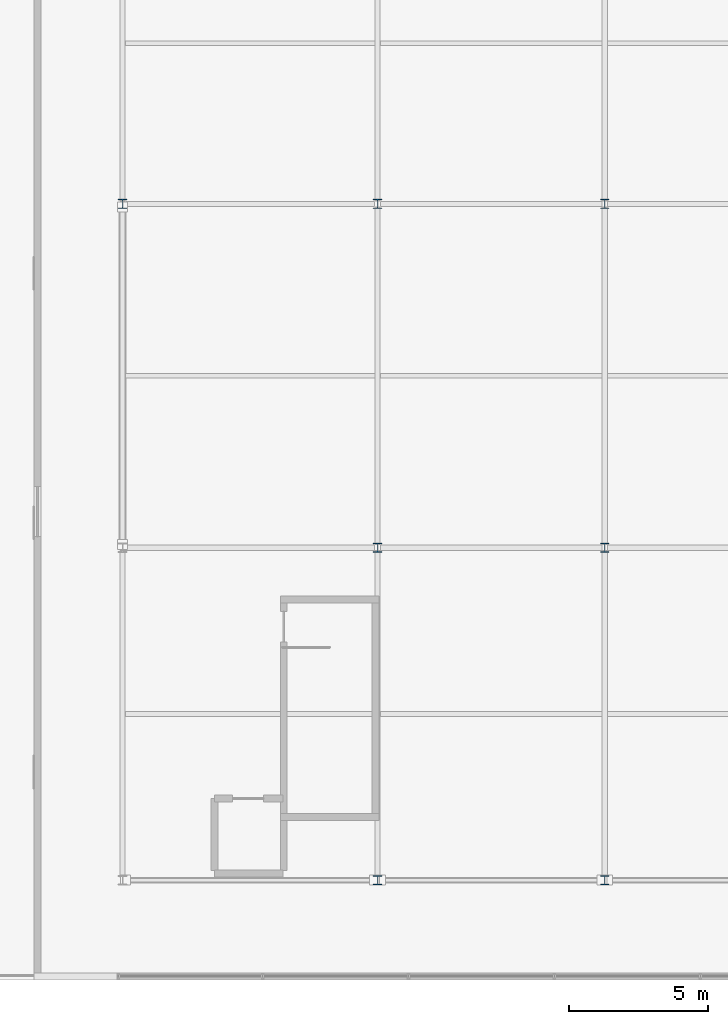
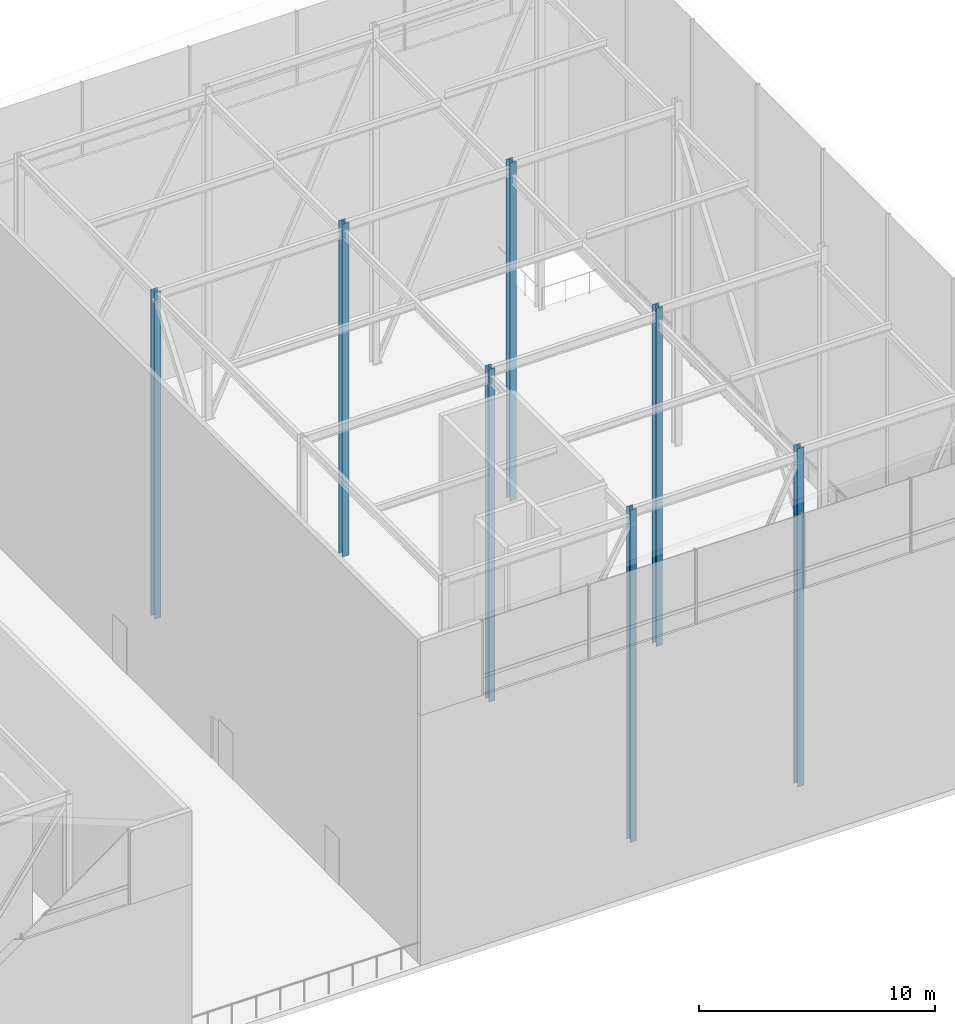
# One storey, part 2 of 39: 7 columns.
"""IFC4 building model written with IfcOpenShell, lengths in metres."""

from ifc_helpers import new_model, si_unit, direction, frame, origin, origin_2d, place, context, subcontext, project, spatial, i_section, extrude, material, material_profile, profile_set, type_object, element, save


model = new_model("IFC4")

# Units and contexts
model_context = context("Model", 3, precision=1e-05, world=origin(), true_north=direction((0.0, 1.0)))
body_context = subcontext(model_context, "Body", "Model", "MODEL_VIEW")
ifc_project = project(units=[si_unit("LENGTHUNIT", "METRE"), si_unit("AREAUNIT", "SQUARE_METRE"), si_unit("VOLUMEUNIT", "CUBIC_METRE"), si_unit("PLANEANGLEUNIT", "RADIAN"), si_unit("MASSUNIT", "GRAM", prefix="KILO")], contexts=[model_context])

# Site, building, storey
site_placement = place(None, origin())
site = spatial("IfcSite", under=ifc_project, at=site_placement, CompositionType="ELEMENT")
building_placement = place(site_placement, origin())
building = spatial("IfcBuilding", under=site, at=building_placement, Name="Korimba Cascade Residences", CompositionType="ELEMENT")
storey_placement = place(building_placement, frame((0.0, 0.0, 264.199951171875)))
storey = spatial("IfcBuildingStorey", under=building, at=storey_placement, Name="RF", CompositionType="ELEMENT", Elevation=264.199951171875)

# Columns
ifc_material = material(Name="Steel S355", Category="steel")
ifc_material_profile = material_profile(ifc_material, i_section(OverallWidth=0.314453125, OverallDepth=0.33984375, WebThickness=0.01904296875, FlangeThickness=0.031494140625, FilletRadius=0.01513671875, at=origin_2d()), Name="Steel S355")
ifc_profile_set = profile_set([ifc_material_profile], Name="Steel S355")
column_type = type_object("IfcColumnType", Name="COL-STL-UC198", PredefinedType="COLUMN", material=ifc_profile_set)
column_placement = place(storey_placement, frame((102.89990234375, 79.60009765625, 0.0), z_axis=(0.0, 0.0, 1.0), x_axis=(1.0, 0.0, 0.0)))
element("IfcColumn", 1, at=column_placement, inside=storey, type_object=column_type, Name="RF Split-Top Crown Frame Post E1.3", PredefinedType="COLUMN", context=body_context, shape_type="SweptSolid", body=[
    extrude(i_section(OverallWidth=0.314453125, OverallDepth=0.33984375, WebThickness=0.01904296875, FlangeThickness=0.031494140625, FilletRadius=0.01513671875, at=origin_2d()), origin(), (0.0, 0.0, 1.0), 16.868896484375),
])
for number, where, z_axis, x_axis, name in (
    (2, (112.10009765625, 55.199951171875, 0.0), (0.0, 0.0, 1.0), (1.0, 0.0, 0.0), "RF Split-Top Crown Frame Post E2.1"),
    (3, (112.10009765625, 67.199951171875, 0.0), (0.0, 0.0, 1.0), (1.0, 0.0, 0.0), "RF Split-Top Crown Frame Post E2.2"),
    (4, (112.10009765625, 79.60009765625, 0.0), (0.0, 0.0, 1.0), (1.0, 0.0, 0.0), "RF Split-Top Crown Frame Post E2.3"),
):
    element("IfcColumn", number, at=place(storey_placement, frame(where, z_axis=z_axis, x_axis=x_axis)), inside=storey, type_object=column_type, Name=name, PredefinedType="COLUMN", context=body_context, shape_type="SweptSolid", body=[
        extrude(i_section(OverallWidth=0.314453125, OverallDepth=0.33984375, WebThickness=0.01904296875, FlangeThickness=0.031494140625, FilletRadius=0.01513671875, at=origin_2d()), origin(), (0.0, 0.0, 1.0), 17.210693359375),
    ])
for number, where, z_axis, x_axis, name in (
    (5, (120.300048828125, 55.199951171875, 0.0), (0.0, 0.0, 1.0), (1.0, 0.0, 0.0), "RF Split-Top Crown Frame Post E3.1"),
    (6, (120.300048828125, 67.199951171875, 0.0), (0.0, 0.0, 1.0), (1.0, 0.0, 0.0), "RF Split-Top Crown Frame Post E3.2"),
    (7, (120.300048828125, 79.60009765625, 0.0), (0.0, 0.0, 1.0), (1.0, 0.0, 0.0), "RF Split-Top Crown Frame Post E3.3"),
):
    element("IfcColumn", number, at=place(storey_placement, frame(where, z_axis=z_axis, x_axis=x_axis)), inside=storey, type_object=column_type, Name=name, PredefinedType="COLUMN", context=body_context, shape_type="SweptSolid", body=[
        extrude(i_section(OverallWidth=0.314453125, OverallDepth=0.33984375, WebThickness=0.01904296875, FlangeThickness=0.031494140625, FilletRadius=0.01513671875, at=origin_2d()), origin(), (0.0, 0.0, 1.0), 17.515380859375),
    ])

save(model, "model.ifc")
